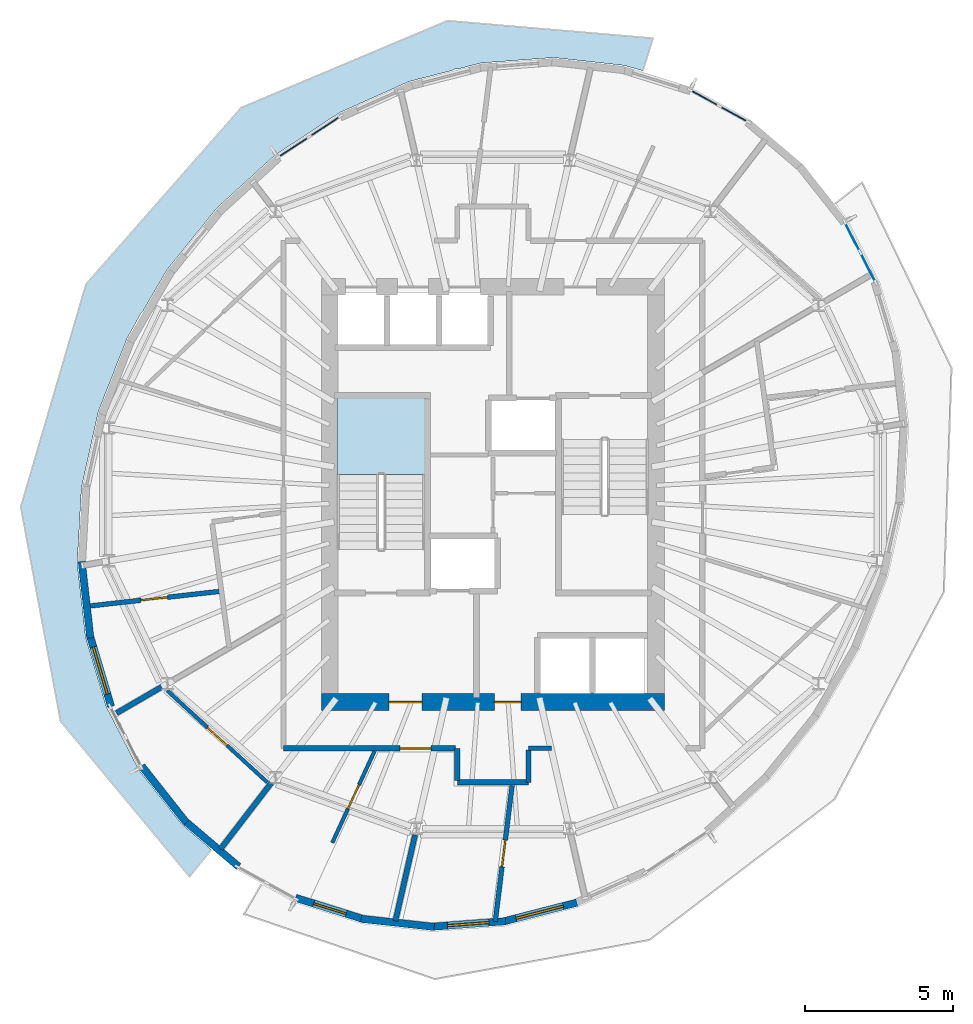
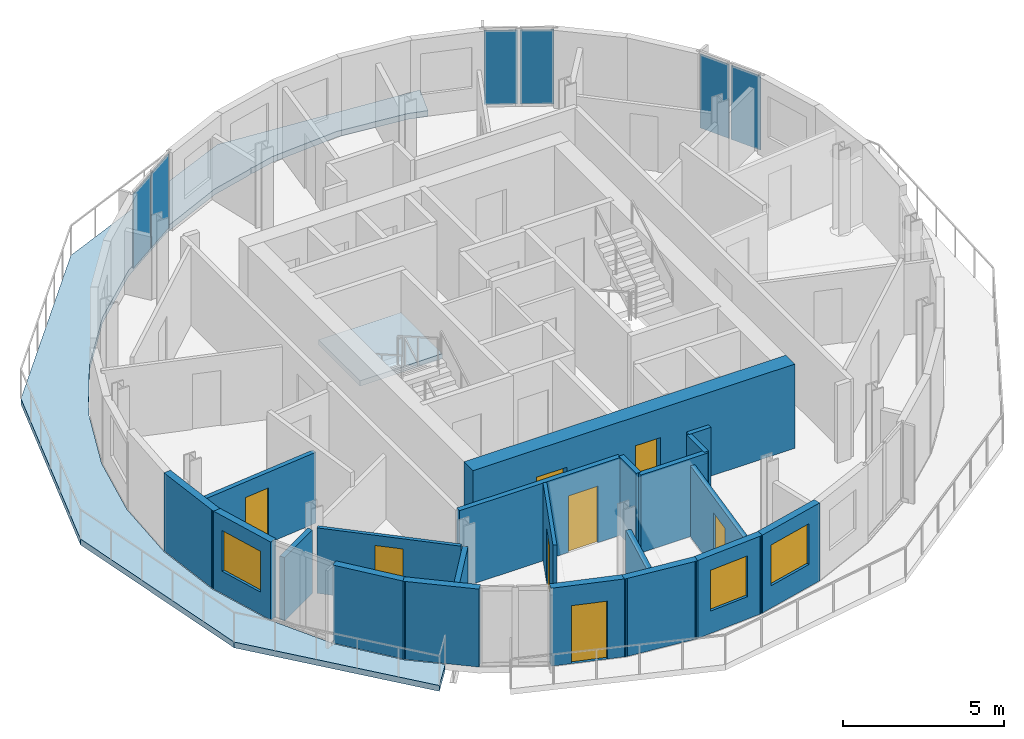
# One storey, part 4 of 11: 21 walls, 8 doors, 6 plates, 3 windows, 2 slabs, 11 openings, 4 elements without a shape of their own.
"""IFC4 building model written with IfcOpenShell, lengths in metres."""

import ifcopenshell
import ifcopenshell.guid

model = None  # the IFC model being written
_history = None  # IfcOwnerHistory: only IFC2X3 demands one
_inside = {}  # id of a spatial element -> (the spatial element, [elements in it])
_under = {}  # id of a project, library or spatial element -> (it, [spatial elements below it])
_declared = {}  # id of a project -> (the project, [libraries it declares])
_typed = {}  # id of a type object -> (the type object, [elements of that type])
_made_of = {}  # id of a material, layer set ... -> (it, [elements and type objects made of it])


def new_model(schema):
    """Start an empty IFC model of exactly this schema.

    Asked for "IFC4X3", IfcOpenShell would pick the latest addendum, in which some entities
    have other attributes; the version numbers below select the first issue.
    IFC2X3 requires an IfcOwnerHistory on every rooted entity: one is made here for all.
    """
    global model, _history
    if schema == "IFC4X3":
        model = ifcopenshell.file(schema_version=(4, 3, 0, 0))
    else:
        model = ifcopenshell.file(schema=schema)
    _inside.clear()
    _under.clear()
    _declared.clear()
    _typed.clear()
    _made_of.clear()
    _history = None
    if model.schema == "IFC2X3":
        org = make("IfcOrganization", Name="unknown")
        user = make(
            "IfcPersonAndOrganization",
            ThePerson=make("IfcPerson", FamilyName="unknown"),
            TheOrganization=org,
        )
        app = make(
            "IfcApplication",
            ApplicationDeveloper=org,
            Version="unknown",
            ApplicationFullName="unknown",
            ApplicationIdentifier="unknown",
        )
        _history = make(
            "IfcOwnerHistory",
            OwningUser=user,
            OwningApplication=app,
            ChangeAction="ADDED",
            CreationDate=0,
        )
    return model


def make(cls, **values):
    """One entity of the class cls with the attributes given. An attribute that is None is left unset."""
    return model.create_entity(
        cls, **{name: value for name, value in values.items() if value is not None}
    )


def rooted(cls, **values):
    """An entity with a GlobalId (a new one), such as an element, a storey or a relation."""
    return make(cls, GlobalId=ifcopenshell.guid.new(), OwnerHistory=_history, **values)


def si_unit(unit_type, name, prefix=None):
    """IfcSIUnit, for example si_unit("LENGTHUNIT", "METRE", prefix="MILLI")."""
    return make("IfcSIUnit", UnitType=unit_type, Prefix=prefix, Name=name)


def assignment(units):
    """IfcUnitAssignment: the units of a project."""
    return None if units is None else make("IfcUnitAssignment", Units=units)


def point(xyz):
    """IfcCartesianPoint."""
    return None if xyz is None else make("IfcCartesianPoint", Coordinates=xyz)


def direction(xyz):
    """IfcDirection."""
    return None if xyz is None else make("IfcDirection", DirectionRatios=xyz)


def frame(location, z_axis=None, x_axis=None):
    """IfcAxis2Placement3D, a coordinate frame: its origin and axes. An axis left out is left unset."""
    return make(
        "IfcAxis2Placement3D",
        Location=point(location),
        Axis=direction(z_axis),
        RefDirection=direction(x_axis),
    )


def frame_2d(location, x_axis=None):
    """IfcAxis2Placement2D, a coordinate frame in the plane: its origin and x axis."""
    return make(
        "IfcAxis2Placement2D", Location=point(location), RefDirection=direction(x_axis)
    )


def origin():
    """The frame at (0, 0, 0) with its axes left unset."""
    return frame((0.0, 0.0, 0.0))


def origin_2d():
    """The frame at (0, 0) in the plane with its x axis left unset."""
    return frame_2d((0.0, 0.0))


def place(relative_to, where):
    """IfcLocalPlacement: puts the frame where relative to a parent placement (None: the world)."""
    return make(
        "IfcLocalPlacement", PlacementRelTo=relative_to, RelativePlacement=where
    )


def context(
    kind, dimensions, precision=None, world=None, true_north=None, identifier=None
):
    """IfcGeometricRepresentationContext, for example the 3D "Model" context."""
    return make(
        "IfcGeometricRepresentationContext",
        ContextIdentifier=identifier,
        ContextType=kind,
        CoordinateSpaceDimension=dimensions,
        Precision=precision,
        WorldCoordinateSystem=world,
        TrueNorth=true_north,
    )


def subcontext(parent, identifier, kind, view, scale=None):
    """IfcGeometricRepresentationSubContext, for example "Body" below "Model"."""
    return make(
        "IfcGeometricRepresentationSubContext",
        ContextIdentifier=identifier,
        ContextType=kind,
        ParentContext=parent,
        TargetScale=scale,
        TargetView=view,
    )


def project(units=None, contexts=None):
    """IfcProject with its units and contexts."""
    return rooted(
        "IfcProject",
        Name="project",
        RepresentationContexts=contexts,
        UnitsInContext=assignment(units),
    )


def spatial(cls, under=None, at=None, **own):
    """A site, building, storey or space (cls), placed at a placement, below another one or the project."""
    s = rooted(cls, ObjectPlacement=at, **own)
    if under is not None:
        _under.setdefault(under.id(), (under, []))[1].append(s)
    return s


def polyline(points):
    """IfcPolyline through the points."""
    return make("IfcPolyline", Points=[point(p) for p in points])


def profile(cls, at=None, kind="AREA", **sizes):
    """A parametric profile (cls). Its sizes go by their IFC names, for example OverallWidth=200.0."""
    return make(cls, ProfileType=kind, Position=at, **sizes)


def rectangle(**sizes):
    """IfcRectangleProfileDef."""
    return profile("IfcRectangleProfileDef", **sizes)


def outline(outer, holes=None, kind="AREA"):
    """IfcArbitraryClosedProfileDef: a profile drawn as a closed curve; with holes, ...WithVoids."""
    if holes is None:
        return make("IfcArbitraryClosedProfileDef", ProfileType=kind, OuterCurve=outer)
    return make(
        "IfcArbitraryProfileDefWithVoids",
        ProfileType=kind,
        OuterCurve=outer,
        InnerCurves=holes,
    )


def extrude(swept, where, along, depth):
    """IfcExtrudedAreaSolid: the profile swept, set in the frame where, extruded along a direction by depth."""
    return make(
        "IfcExtrudedAreaSolid",
        SweptArea=swept,
        Position=where,
        ExtrudedDirection=direction(along),
        Depth=depth,
    )


def shape(context_of_items, identifier, shape_type, items):
    """IfcShapeRepresentation: the items that make up one representation, for example the "Body"."""
    return make(
        "IfcShapeRepresentation",
        ContextOfItems=context_of_items,
        RepresentationIdentifier=identifier,
        RepresentationType=shape_type,
        Items=items,
    )


def material(Name=None, Category=None):
    """IfcMaterial."""
    return make("IfcMaterial", Name=Name, Category=Category)


def layer(
    of_material, thickness, ventilated=None, Name=None, Category=None, Priority=None
):
    """IfcMaterialLayer: one layer of a wall or slab, of a material (None: an air gap)."""
    return make(
        "IfcMaterialLayer",
        Material=of_material,
        LayerThickness=thickness,
        IsVentilated=ventilated,
        Name=Name,
        Category=Category,
        Priority=Priority,
    )


def layer_set(layers, Name=None):
    """IfcMaterialLayerSet."""
    return make("IfcMaterialLayerSet", MaterialLayers=layers, LayerSetName=Name)


def made_of(thing, what):
    """Note that an element or type object is made of a material, layer set ...; save() writes the relation."""
    if what is not None:
        _made_of.setdefault(what.id(), (what, []))[1].append(thing)
    return thing


def type_object(cls, material=None, **own):
    """A type object (cls), such as IfcWallType, which elements share."""
    return made_of(rooted(cls, **own), material)


def element(
    cls,
    number,
    at=None,
    inside=None,
    cuts=None,
    type_object=None,
    material=None,
    context=None,
    identifier="Body",
    shape_type=None,
    held_by="IfcProductDefinitionShape",
    body=None,
    shapes=None,
    **own,
):
    """One element of the class cls, such as IfcWall. Its Tag is "e" and its number.

    at: its placement. inside: the storey or other place that contains it. cuts: it is an
    opening in that element (IfcRelVoidsElement). A single representation is given by context,
    identifier, shape_type and body (its items); several are given by shapes. held_by: the class
    of the entity that holds the representations. save() writes the other relations.
    """
    e = rooted(cls, Tag="e%d" % number, ObjectPlacement=at, **own)
    if body is not None:
        shapes = [shape(context, identifier, shape_type, body)]
    if shapes is not None:
        e.Representation = make(held_by, Representations=shapes)
    if inside is not None:
        _inside.setdefault(inside.id(), (inside, []))[1].append(e)
    if cuts is not None:
        rooted(
            "IfcRelVoidsElement", RelatingBuildingElement=cuts, RelatedOpeningElement=e
        )
    if type_object is not None:
        _typed.setdefault(type_object.id(), (type_object, []))[1].append(e)
    return made_of(e, material)


def fill(opening, filler):
    """IfcRelFillsElement: the door or window that sits in an opening."""
    return rooted(
        "IfcRelFillsElement",
        RelatingOpeningElement=opening,
        RelatedBuildingElement=filler,
    )


def aggregate(whole, parts):
    """IfcRelAggregates: a whole, such as a stair, and the parts it consists of."""
    return rooted("IfcRelAggregates", RelatingObject=whole, RelatedObjects=parts)


def save(model, path):
    """Write the relations noted so far, then the file.

    IfcRelAggregates (storeys below a building ...), IfcRelContainedInSpatialStructure (elements
    in a storey), IfcRelDefinesByType, IfcRelAssociatesMaterial and IfcRelDeclares: one each for
    every whole, place, type object, material and project.
    """
    for whole, parts in _under.values():
        aggregate(whole, parts)
    for where, things in _inside.values():
        rooted(
            "IfcRelContainedInSpatialStructure",
            RelatedElements=things,
            RelatingStructure=where,
        )
    for kind, things in _typed.values():
        rooted("IfcRelDefinesByType", RelatedObjects=things, RelatingType=kind)
    for what, things in _made_of.values():
        rooted("IfcRelAssociatesMaterial", RelatedObjects=things, RelatingMaterial=what)
    for by, libraries in _declared.values():
        rooted("IfcRelDeclares", RelatingContext=by, RelatedDefinitions=libraries)
    model.write(path)


model = new_model("IFC4")

# Units and contexts
model_context = context("Model", 3, precision=1e-05, world=origin(), true_north=direction((0.0, 1.0)))
body_context = subcontext(model_context, "Body", "Model", "MODEL_VIEW")
ifc_project = project(units=[si_unit("LENGTHUNIT", "METRE"), si_unit("AREAUNIT", "SQUARE_METRE"), si_unit("VOLUMEUNIT", "CUBIC_METRE"), si_unit("PLANEANGLEUNIT", "RADIAN"), si_unit("MASSUNIT", "GRAM", prefix="KILO")], contexts=[model_context])

# Site, building, storey
site_placement = place(None, origin())
site = spatial("IfcSite", under=ifc_project, at=site_placement, CompositionType="ELEMENT")
building_placement = place(site_placement, origin())
building = spatial("IfcBuilding", under=site, at=building_placement, Name="Veldorim Arch Residences", CompositionType="ELEMENT")
storey_placement = place(building_placement, frame((0.0, 0.0, 223.840087890625)))
storey = spatial("IfcBuildingStorey", under=building, at=storey_placement, Name="L67", CompositionType="ELEMENT", Elevation=223.840087890625)

# Slab
ifc_material_1 = material(Name="Concrete C40/50", Category="concrete")
ifc_layer_1 = layer(ifc_material_1, 0.219970703125, Name="Planted Crescent Cantilever Balcony Slab 220")
ifc_layer_set_1 = layer_set([ifc_layer_1], Name="Concrete C40/50")
slab_type_1 = type_object("IfcSlabType", Name="Planted Crescent Cantilever Balcony Slab 220", PredefinedType="FLOOR", material=ifc_layer_set_1)
slab_1_placement = place(storey_placement, frame((0.0, 0.0, -0.219970703125)))
element("IfcSlab", 1, at=slab_1_placement, inside=storey, type_object=slab_type_1, Name="L67 planted crescent balcony slab A", PredefinedType="FLOOR", context=body_context, shape_type="SweptSolid", body=[
    extrude(outline(polyline([(37.05712890625, 38.286865234375), (36.419921875, 38.464599609375), (34.0419921875, 38.729248046875), (31.602294921875, 38.54638671875), (30.82421875, 38.34619140625), (30.727783203125, 38.34716796875), (30.614501953125, 38.292236328125), (29.1748046875, 37.921630859375), (26.83349609375, 36.8740234375), (24.64892578125, 35.435302734375), (22.68798828125, 33.6494140625), (21.010009765625, 31.5703125), (20.208984375, 30.19482421875), (20.1298828125, 30.102294921875), (19.66552734375, 29.26123046875), (18.69580078125, 26.79248046875), (18.130126953125, 24.23876953125), (17.985595703125, 21.677734375), (18.26708984375, 19.18701171875), (18.9658203125, 16.84228515625), (20.060791015625, 14.715087890625), (21.5185546875, 12.86962890625), (22.417724609375, 12.107177734375), (22.493408203125, 12.00048828125), (21.770263671875, 11.106201171875), (17.420654296875, 16.344970703125), (16.07568359375, 23.577880859375), (18.278564453125, 31.09326171875), (23.505859375, 37.0419921875), (30.468994140625, 39.974365234375), (37.400146484375, 39.384521484375), (37.05712890625, 38.286865234375)])), origin(), (0.0, 0.0, 1.0), 0.219970703125),
])

# Stair, slab
ifc_material_2 = material(Name="Concrete C40/50", Category="concrete")
stair_type = type_object("IfcStairType", Name="Reinforced Concrete Dogleg Exit Staircase", PredefinedType="HALF_TURN_STAIR", material=ifc_material_2)
stair_placement = place(storey_placement, origin())
stair = element("IfcStair", 2, at=stair_placement, inside=storey, type_object=stair_type, Name="L67 Exit Staircase ST-1", PredefinedType="HALF_TURN_STAIR")
ifc_material_3 = material(Name="Concrete C40/50", Category="concrete")
ifc_layer_2 = layer(ifc_material_3, 0.199951171875, Name="Reinforced Concrete Stair Landing 200")
ifc_layer_set_2 = layer_set([ifc_layer_2], Name="Concrete C40/50")
slab_type_2 = type_object("IfcSlabType", Name="Reinforced Concrete Stair Landing 200", PredefinedType="LANDING", material=ifc_layer_set_2)
slab_2_placement = place(storey_placement, frame((0.0, 0.0, 1.39990234375)))
slab_2 = element("IfcSlab", 3, at=slab_2_placement, type_object=slab_type_2, Name="ST-1 landing 1", PredefinedType="LANDING", context=body_context, shape_type="SweptSolid", body=[
    extrude(outline(polyline([(29.7099609375, 24.669921875), (29.7099609375, 27.25), (26.75, 27.25), (26.75, 24.669921875), (29.7099609375, 24.669921875)])), origin(), (0.0, 0.0, 1.0), 0.199951171875),
])
aggregate(stair, [slab_2])

# Curtain wall, plates
ifc_material_4 = material(Name="Aluminium", Category="aluminium")
curtain_wall_type = type_object("IfcCurtainWallType", Name="Zone 4 High-Altitude Unitised Curtain Wall", PredefinedType="NOTDEFINED", material=ifc_material_4)
curtain_wall_1_placement = place(storey_placement, origin())
curtain_wall_1 = element("IfcCurtainWall", 4, at=curtain_wall_1_placement, inside=storey, type_object=curtain_wall_type, Name="L67 unitised curtain wall bay 01", PredefinedType="NOTDEFINED")
ifc_material_5 = material(Name="Laminated Low-E Glass", Category="glass")
ifc_layer_3 = layer(ifc_material_5, 0.030029296875, Name="Zone 4 High-Altitude Unitised Curtain Wall Glazing Panel 30")
ifc_layer_set_3 = layer_set([ifc_layer_3], Name="Laminated Low-E Glass")
plate_type = type_object("IfcPlateType", Name="Zone 4 High-Altitude Unitised Curtain Wall Glazing Panel 30", PredefinedType="CURTAIN_PANEL", material=ifc_layer_set_3)
plate_1_placement = place(storey_placement, frame((39.135986328125, 37.368896484375, 0.074951171875), z_axis=(0.0, 0.0, 1.0), x_axis=(0.876196835555, -0.48195342655, 0.0)))
plate_1 = element("IfcPlate", 5, at=plate_1_placement, type_object=plate_type, Name="CW-Z4 panel 1.1", PredefinedType="CURTAIN_PANEL", context=body_context, shape_type="SweptSolid", body=[
    extrude(rectangle(XDim=1.0498046875, YDim=0.030029296875, at=origin_2d()), origin(), (0.0, 0.0, 1.0), 2.81005859375),
])
plate_2_placement = place(storey_placement, frame((40.12158203125, 36.82666015625, 0.074951171875), z_axis=(0.0, 0.0, 1.0), x_axis=(0.876196835555, -0.48195342655, 0.0)))
plate_2 = element("IfcPlate", 6, at=plate_2_placement, type_object=plate_type, Name="CW-Z4 panel 2.1", PredefinedType="CURTAIN_PANEL", context=body_context, shape_type="SweptSolid", body=[
    extrude(rectangle(XDim=1.0498046875, YDim=0.030029296875, at=origin_2d()), origin(), (0.0, 0.0, 1.0), 2.81005859375),
])
aggregate(curtain_wall_1, [plate_1, plate_2])

curtain_wall_2_placement = place(storey_placement, origin())
curtain_wall_2 = element("IfcCurtainWall", 7, at=curtain_wall_2_placement, inside=storey, type_object=curtain_wall_type, Name="L67 unitised curtain wall bay 07", PredefinedType="NOTDEFINED")
plate_3_placement = place(storey_placement, frame((25.27490234375, 35.709716796875, 0.074951171875), z_axis=(0.0, 0.0, 1.0), x_axis=(0.835124104582, 0.550061569233, 0.0)))
plate_3 = element("IfcPlate", 8, at=plate_3_placement, type_object=plate_type, Name="CW-Z4 panel 1.1", PredefinedType="CURTAIN_PANEL", context=body_context, shape_type="SweptSolid", body=[
    extrude(rectangle(XDim=1.193359375, YDim=0.030029296875, at=origin_2d()), origin(), (0.0, 0.0, 1.0), 2.81005859375),
])
plate_4_placement = place(storey_placement, frame((26.333984375, 36.4072265625, 0.074951171875), z_axis=(0.0, 0.0, 1.0), x_axis=(0.835124104582, 0.550061569233, 0.0)))
plate_4 = element("IfcPlate", 9, at=plate_4_placement, type_object=plate_type, Name="CW-Z4 panel 2.1", PredefinedType="CURTAIN_PANEL", context=body_context, shape_type="SweptSolid", body=[
    extrude(rectangle(XDim=1.193359375, YDim=0.030029296875, at=origin_2d()), origin(), (0.0, 0.0, 1.0), 2.81005859375),
])
aggregate(curtain_wall_2, [plate_3, plate_4])

curtain_wall_3_placement = place(storey_placement, origin())
curtain_wall_3 = element("IfcCurtainWall", 10, at=curtain_wall_3_placement, inside=storey, type_object=curtain_wall_type, Name="L67 unitised curtain wall bay 34", PredefinedType="NOTDEFINED")
plate_5_placement = place(storey_placement, frame((44.119873046875, 32.6826171875, 0.074951171875), z_axis=(0.0, 0.0, 1.0), x_axis=(0.457652682523, -0.889131048935, 0.0)))
plate_5 = element("IfcPlate", 11, at=plate_5_placement, type_object=plate_type, Name="CW-Z4 panel 1.1", PredefinedType="CURTAIN_PANEL", context=body_context, shape_type="SweptSolid", body=[
    extrude(rectangle(XDim=1.081298828125, YDim=0.030029296875, at=origin_2d()), origin(), (0.0, 0.0, 1.0), 2.81005859375),
])
plate_6_placement = place(storey_placement, frame((44.649169921875, 31.654541015625, 0.074951171875), z_axis=(0.0, 0.0, 1.0), x_axis=(0.457652682523, -0.889131048935, 0.0)))
plate_6 = element("IfcPlate", 12, at=plate_6_placement, type_object=plate_type, Name="CW-Z4 panel 2.1", PredefinedType="CURTAIN_PANEL", context=body_context, shape_type="SweptSolid", body=[
    extrude(rectangle(XDim=1.081298828125, YDim=0.030029296875, at=origin_2d()), origin(), (0.0, 0.0, 1.0), 2.81005859375),
])
aggregate(curtain_wall_3, [plate_5, plate_6])

# Wall, opening, door
ifc_material_6 = material(Name="Acoustic Gypsum Board", Category="gypsum")
ifc_layer_4 = layer(ifc_material_6, 0.125, Name="Acoustic Stud Room Partition Wall 125")
ifc_layer_set_4 = layer_set([ifc_layer_4], Name="Acoustic Gypsum Board")
wall_type_1 = type_object("IfcWallType", Name="Acoustic Stud Room Partition Wall 125", PredefinedType="PARTITIONING", material=ifc_layer_set_4)
wall_1_placement = place(storey_placement, frame((26.582763671875, 12.25341796875, 0.0), z_axis=(0.0, 0.0, 1.0), x_axis=(0.41880384085, 0.908076727424, 0.0)))
wall_1 = element("IfcWall", 13, at=wall_1_placement, inside=storey, type_object=wall_type_1, Name="L67 interior wall WL-RES-L67-017", PredefinedType="PARTITIONING", context=body_context, shape_type="SweptSolid", body=[
    extrude(rectangle(XDim=3.4091796875, YDim=0.125, at=frame_2d((1.70458984375, 0.0))), origin(), (0.0, 0.0, 1.0), 2.954833984375),
])
opening_1_placement = place(wall_1_placement, frame((1.254638671875, 0.0, 0.0)))
opening_1 = element("IfcOpeningElement", 14, at=opening_1_placement, cuts=wall_1, Name="Opening DR-INT", PredefinedType="OPENING", context=body_context, shape_type="SweptSolid", body=[
    extrude(rectangle(XDim=0.89990234375, YDim=2.10009765625, at=frame_2d((0.449951171875, 1.050048828125))), frame((0.0, 0.072509765625, 0.0), z_axis=(0.0, -1.0, 0.0), x_axis=(1.0, 0.0, 0.0)), (0.0, 0.0, 1.0), 0.14501953125),
])
ifc_material_7 = material(Name="Engineered Timber", Category="wood")
door_type_1 = type_object("IfcDoorType", Name="Apartment Internal Room Timber Door 900x2100", OperationType="SINGLE_SWING_LEFT", PredefinedType="DOOR", material=ifc_material_7)
door_1_placement = place(opening_1_placement, origin())
door_1 = element("IfcDoor", 15, at=door_1_placement, inside=storey, type_object=door_type_1, Name="L67 interior door DR-RES-L67-003", OperationType="SINGLE_SWING_LEFT", OverallHeight=2.10009765625, OverallWidth=0.89990234375, PredefinedType="DOOR", context=body_context, shape_type="SweptSolid", body=[
    extrude(rectangle(XDim=0.89990234375, YDim=2.10009765625, at=frame_2d((0.449951171875, 1.050048828125))), frame((0.0, 0.02490234375, 0.0), z_axis=(0.0, -1.0, 0.0), x_axis=(1.0, 0.0, 0.0)), (0.0, 0.0, 1.0), 0.050048828125),
])
fill(opening_1, door_1)

wall_2_placement = place(storey_placement, frame((24.393310546875, 14.2880859375, 0.0), z_axis=(0.0, 0.0, 1.0), x_axis=(-0.736828890574, 0.676079274949, 0.0)))
wall_2 = element("IfcWall", 16, at=wall_2_placement, inside=storey, type_object=wall_type_1, Name="L67 interior wall WL-RES-L67-018", PredefinedType="PARTITIONING", context=body_context, shape_type="SweptSolid", body=[
    extrude(rectangle(XDim=4.58154296875, YDim=0.125, at=frame_2d((2.290771484375, 0.0))), origin(), (0.0, 0.0, 1.0), 2.48779296875),
])
opening_2_placement = place(wall_2_placement, frame((1.8408203125, 0.0, 0.0)))
opening_2 = element("IfcOpeningElement", 17, at=opening_2_placement, cuts=wall_2, Name="Opening DR-INT", PredefinedType="OPENING", context=body_context, shape_type="SweptSolid", body=[
    extrude(rectangle(XDim=0.89990234375, YDim=2.10009765625, at=frame_2d((0.449951171875, 1.050048828125))), frame((0.0, 0.072509765625, 0.0), z_axis=(0.0, -1.0, 0.0), x_axis=(1.0, 0.0, 0.0)), (0.0, 0.0, 1.0), 0.14501953125),
])
door_2_placement = place(opening_2_placement, origin())
door_2 = element("IfcDoor", 18, at=door_2_placement, inside=storey, type_object=door_type_1, Name="L67 interior door DR-RES-L67-004", OperationType="SINGLE_SWING_RIGHT", OverallHeight=2.10009765625, OverallWidth=0.89990234375, PredefinedType="DOOR", context=body_context, shape_type="SweptSolid", body=[
    extrude(rectangle(XDim=0.89990234375, YDim=2.10009765625, at=frame_2d((0.449951171875, 1.050048828125))), frame((0.0, 0.02490234375, 0.0), z_axis=(0.0, -1.0, 0.0), x_axis=(1.0, 0.0, 0.0)), (0.0, 0.0, 1.0), 0.050048828125),
])
fill(opening_2, door_2)

# Walls
ifc_material_8 = material(Name="Lightweight Masonry Block & Gypsum", Category="masonry")
ifc_layer_5 = layer(ifc_material_8, 0.179931640625, Name="Compartment & Corridor Fire-Rated Party Wall 180")
ifc_layer_set_5 = layer_set([ifc_layer_5], Name="Lightweight Masonry Block & Gypsum")
wall_type_2 = type_object("IfcWallType", Name="Compartment & Corridor Fire-Rated Party Wall 180", PredefinedType="PARTITIONING", material=ifc_layer_set_5)
wall_3_placement = place(storey_placement, frame((20.826171875, 17.5068359375, 0.0), z_axis=(0.0, 0.0, 1.0), x_axis=(-0.864599922959, -0.502460917106, 0.0)))
element("IfcWall", 19, at=wall_3_placement, inside=storey, type_object=wall_type_2, Name="L67 interior wall WL-PIER-L67-10", PredefinedType="PARTITIONING", context=body_context, shape_type="SweptSolid", body=[
    extrude(rectangle(XDim=1.755615234375, YDim=0.179931640625, at=frame_2d((0.8779296875, 0.0))), origin(), (0.0, 0.0, 1.0), 2.4033203125),
])
wall_4_placement = place(storey_placement, frame((24.526611328125, 14.272705078125, 0.0), z_axis=(0.0, 0.0, 1.0), x_axis=(-0.609232660573, -0.792991529142, 0.0)))
element("IfcWall", 20, at=wall_4_placement, inside=storey, type_object=wall_type_2, Name="L67 interior wall WL-PIER-L67-11", PredefinedType="PARTITIONING", context=body_context, shape_type="SweptSolid", body=[
    extrude(rectangle(XDim=2.81396484375, YDim=0.179931640625, at=frame_2d((1.406982421875, 0.0))), origin(), (0.0, 0.0, 1.0), 2.4033203125),
])
wall_5_placement = place(storey_placement, frame((29.37353515625, 12.516845703125, 0.0), z_axis=(0.0, 0.0, 1.0), x_axis=(-0.22291168124, -0.974838644272, 0.0)))
element("IfcWall", 21, at=wall_5_placement, inside=storey, type_object=wall_type_2, Name="L67 interior wall WL-PIER-L67-12", PredefinedType="PARTITIONING", context=body_context, shape_type="SweptSolid", body=[
    extrude(rectangle(XDim=2.975830078125, YDim=0.179931640625, at=frame_2d((1.48779296875, 0.0))), origin(), (0.0, 0.0, 1.0), 2.4033203125),
])
wall_6_placement = place(storey_placement, frame((33.199951171875, 14.2900390625, 0.0), z_axis=(0.0, 0.0, 1.0), x_axis=(-1.0, 0.0, 0.0)))
element("IfcWall", 22, at=wall_6_placement, inside=storey, type_object=wall_type_2, Name="L67 interior wall WL-RES-L67-001", PredefinedType="PARTITIONING", context=body_context, shape_type="SweptSolid", body=[
    extrude(rectangle(XDim=2.39990234375, YDim=0.179931640625, at=frame_2d((1.199951171875, 0.0))), origin(), (0.0, 0.0, 1.0), 2.954833984375),
])
wall_7_placement = place(storey_placement, frame((30.800048828125, 14.35009765625, 0.0), z_axis=(0.0, 0.0, 1.0), x_axis=(0.0, 1.0, 0.0)))
element("IfcWall", 23, at=wall_7_placement, inside=storey, type_object=wall_type_2, Name="L67 interior wall WL-RES-L67-002", PredefinedType="PARTITIONING", context=body_context, shape_type="SweptSolid", body=[
    extrude(rectangle(XDim=1.08984375, YDim=0.179931640625, at=frame_2d((0.544921875, 0.0))), origin(), (0.0, 0.0, 1.0), 2.954833984375),
])

# Wall, opening, door
wall_8_placement = place(storey_placement, frame((30.739990234375, 15.43994140625, 0.0), z_axis=(0.0, 0.0, 1.0), x_axis=(-1.0, 0.0, 0.0)))
wall_8 = element("IfcWall", 24, at=wall_8_placement, inside=storey, type_object=wall_type_2, Name="L67 interior wall WL-RES-L67-003", PredefinedType="PARTITIONING", context=body_context, shape_type="SweptSolid", body=[
    extrude(rectangle(XDim=5.800048828125, YDim=0.179931640625, at=frame_2d((2.89990234375, 0.0))), origin(), (0.0, 0.0, 1.0), 2.954833984375),
])
opening_3_placement = place(wall_8_placement, frame((0.829833984375, 0.0, 0.0)))
opening_3 = element("IfcOpeningElement", 25, at=opening_3_placement, cuts=wall_8, Name="Opening DR-FLT", PredefinedType="OPENING", context=body_context, shape_type="SweptSolid", body=[
    extrude(rectangle(XDim=1.050048828125, YDim=2.14990234375, at=frame_2d((0.52490234375, 1.074951171875))), frame((0.0, 0.099853515625, 0.0), z_axis=(0.0, -1.0, 0.0), x_axis=(1.0, 0.0, 0.0)), (0.0, 0.0, 1.0), 0.199951171875),
])
ifc_material_9 = material(Name="Fire-Rated Timber", Category="wood")
door_type_2 = type_object("IfcDoorType", Name="Apartment Entrance Solid-Core Fire Door 1050x2150", OperationType="SINGLE_SWING_LEFT", PredefinedType="DOOR", material=ifc_material_9)
door_3_placement = place(opening_3_placement, origin())
door_3 = element("IfcDoor", 26, at=door_3_placement, inside=storey, type_object=door_type_2, Name="L67 interior door DR-RES-L67-001", OperationType="SINGLE_SWING_LEFT", OverallHeight=2.14990234375, OverallWidth=1.050048828125, PredefinedType="DOOR", context=body_context, shape_type="SweptSolid", body=[
    extrude(rectangle(XDim=1.050048828125, YDim=2.14990234375, at=frame_2d((0.52490234375, 1.074951171875))), frame((0.0, 0.02490234375, 0.0), z_axis=(0.0, -1.0, 0.0), x_axis=(1.0, 0.0, 0.0)), (0.0, 0.0, 1.0), 0.050048828125),
])
fill(opening_3, door_3)

# Wall
ifc_material_10 = material(Name="Precast concrete C40/50", Category="concrete")
ifc_layer_6 = layer(ifc_material_10, 0.25, Name="Tower Terracotta Spandrel & Pier Wall 250")
ifc_layer_set_6 = layer_set([ifc_layer_6], Name="Precast concrete C40/50")
wall_type_3 = type_object("IfcWallType", Name="Tower Terracotta Spandrel & Pier Wall 250", PredefinedType="SOLIDWALL", material=ifc_layer_set_6)
wall_9_placement = place(storey_placement, frame((18.4208984375, 19.161376953125, 0.0), z_axis=(0.0, 0.0, 1.0), x_axis=(-0.112260931198, 0.993678762642, 0.0)))
element("IfcWall", 27, at=wall_9_placement, inside=storey, type_object=wall_type_3, Name="L67 terracotta facade wall 14", PredefinedType="SOLIDWALL", context=body_context, shape_type="SweptSolid", body=[
    extrude(rectangle(XDim=2.59228515625, YDim=0.25, at=frame_2d((1.296142578125, 0.0))), origin(), (0.0, 0.0, 1.0), 2.9599609375),
])

# Wall, opening, window
wall_10_placement = place(storey_placement, frame((19.12158203125, 16.844482421875, 0.0), z_axis=(0.0, 0.0, 1.0), x_axis=(-0.285604720301, 0.958347506775, 0.0)))
wall_10 = element("IfcWall", 28, at=wall_10_placement, inside=storey, type_object=wall_type_3, Name="L67 terracotta facade wall 15", PredefinedType="SOLIDWALL", context=body_context, shape_type="SweptSolid", body=[
    extrude(rectangle(XDim=2.531982421875, YDim=0.25, at=frame_2d((1.26611328125, 0.0))), origin(), (0.0, 0.0, 1.0), 2.9599609375),
])
opening_4_placement = place(wall_10_placement, frame((0.44091796875, 0.0, 0.85009765625)))
opening_4 = element("IfcOpeningElement", 29, at=opening_4_placement, cuts=wall_10, Name="Opening WN-03", PredefinedType="OPENING", context=body_context, shape_type="SweptSolid", body=[
    extrude(rectangle(XDim=1.64990234375, YDim=1.550048828125, at=frame_2d((0.824951171875, 0.77490234375))), frame((0.0, 0.135009765625, 0.0), z_axis=(0.0, -1.0, 0.0), x_axis=(1.0, 0.0, 0.0)), (0.0, 0.0, 1.0), 0.27001953125),
])
ifc_material_11 = material(Name="Laminated Low-E Glass", Category="glass")
window_type_1 = type_object("IfcWindowType", Name="Residential Wide Window 1650x1550", PartitioningType="SINGLE_PANEL", PredefinedType="WINDOW", material=ifc_material_11)
window_1_placement = place(opening_4_placement, origin())
window_1 = element("IfcWindow", 30, at=window_1_placement, inside=storey, type_object=window_type_1, Name="L67 solar-control facade window 15", OverallHeight=1.550048828125, OverallWidth=1.64990234375, PartitioningType="SINGLE_PANEL", PredefinedType="WINDOW", context=body_context, shape_type="SweptSolid", body=[
    extrude(rectangle(XDim=1.64990234375, YDim=1.550048828125, at=frame_2d((0.824951171875, 0.77490234375))), frame((0.0, 0.030029296875, 0.0), z_axis=(0.0, -1.0, 0.0), x_axis=(1.0, 0.0, 0.0)), (0.0, 0.0, 1.0), 0.06005859375),
])
fill(opening_4, window_1)

# Walls
wall_11_placement = place(storey_placement, frame((21.66259765625, 12.929443359375, 0.0), z_axis=(0.0, 0.0, 1.0), x_axis=(-0.619881401672, 0.784695512833, 0.0)))
element("IfcWall", 31, at=wall_11_placement, inside=storey, type_object=wall_type_3, Name="L67 terracotta facade wall 17", PredefinedType="SOLIDWALL", context=body_context, shape_type="SweptSolid", body=[
    extrude(rectangle(XDim=2.436767578125, YDim=0.25, at=frame_2d((1.21826171875, 0.0))), origin(), (0.0, 0.0, 1.0), 2.9599609375),
])
wall_12_placement = place(storey_placement, frame((23.424560546875, 11.44970703125, 0.0), z_axis=(0.0, 0.0, 1.0), x_axis=(-0.762614923672, 0.646852748462, 0.0)))
element("IfcWall", 32, at=wall_12_placement, inside=storey, type_object=wall_type_3, Name="L67 terracotta facade wall 18", PredefinedType="SOLIDWALL", context=body_context, shape_type="SweptSolid", body=[
    extrude(rectangle(XDim=2.414794921875, YDim=0.25, at=frame_2d((1.20751953125, 0.0))), origin(), (0.0, 0.0, 1.0), 2.9599609375),
])

# Wall, opening, door
wall_13_placement = place(storey_placement, frame((27.665771484375, 9.665771484375, 0.0), z_axis=(0.0, 0.0, 1.0), x_axis=(-0.95407801166, 0.299558254212, 0.0)))
wall_13 = element("IfcWall", 33, at=wall_13_placement, inside=storey, type_object=wall_type_3, Name="L67 terracotta facade wall 20", PredefinedType="SOLIDWALL", context=body_context, shape_type="SweptSolid", body=[
    extrude(rectangle(XDim=2.436767578125, YDim=0.25, at=frame_2d((1.21826171875, 0.0))), origin(), (0.0, 0.0, 1.0), 2.9599609375),
])
opening_5_placement = place(wall_13_placement, frame((0.64306640625, 0.0, 0.0)))
opening_5 = element("IfcOpeningElement", 34, at=opening_5_placement, cuts=wall_13, Name="Opening BL-DR", PredefinedType="OPENING", context=body_context, shape_type="SweptSolid", body=[
    extrude(rectangle(XDim=1.14990234375, YDim=2.199951171875, at=frame_2d((0.574951171875, 1.10009765625))), frame((0.0, 0.135009765625, 0.0), z_axis=(0.0, -1.0, 0.0), x_axis=(1.0, 0.0, 0.0)), (0.0, 0.0, 1.0), 0.27001953125),
])
ifc_material_12 = material(Name="Aluminium & Low-E Glass", Category="aluminium")
door_type_3 = type_object("IfcDoorType", Name="Glazed Planted Balcony Door 1150x2200", OperationType="SINGLE_SWING_LEFT", PredefinedType="DOOR", material=ifc_material_12)
door_4_placement = place(opening_5_placement, origin())
door_4 = element("IfcDoor", 35, at=door_4_placement, inside=storey, type_object=door_type_3, Name="L67 glazed outdoor terrace door BALC-2", OperationType="SINGLE_SWING_RIGHT", OverallHeight=2.199951171875, OverallWidth=1.14990234375, PredefinedType="DOOR", context=body_context, shape_type="SweptSolid", body=[
    extrude(rectangle(XDim=1.14990234375, YDim=2.199951171875, at=frame_2d((0.574951171875, 1.10009765625))), frame((0.0, 0.02490234375, 0.0), z_axis=(0.0, -1.0, 0.0), x_axis=(1.0, 0.0, 0.0)), (0.0, 0.0, 1.0), 0.050048828125),
])
fill(opening_5, door_4)

# Wall
wall_14_placement = place(storey_placement, frame((30.01708984375, 9.4150390625, 0.0), z_axis=(0.0, 0.0, 1.0), x_axis=(-0.993859679734, 0.110647806121, 0.0)))
element("IfcWall", 36, at=wall_14_placement, inside=storey, type_object=wall_type_3, Name="L67 terracotta facade wall 21", PredefinedType="SOLIDWALL", context=body_context, shape_type="SweptSolid", body=[
    extrude(rectangle(XDim=2.477783203125, YDim=0.25, at=frame_2d((1.23876953125, 0.0))), origin(), (0.0, 0.0, 1.0), 2.9599609375),
])

# Wall, opening, window
wall_15_placement = place(storey_placement, frame((32.42919921875, 9.606201171875, 0.0), z_axis=(0.0, 0.0, 1.0), x_axis=(-0.997203982256, -0.074727623888, 0.0)))
wall_15 = element("IfcWall", 37, at=wall_15_placement, inside=storey, type_object=wall_type_3, Name="L67 terracotta facade wall 22", PredefinedType="SOLIDWALL", context=body_context, shape_type="SweptSolid", body=[
    extrude(rectangle(XDim=2.531982421875, YDim=0.25, at=frame_2d((1.26611328125, 0.0))), origin(), (0.0, 0.0, 1.0), 2.9599609375),
])
opening_6_placement = place(wall_15_placement, frame((0.56591796875, 0.0, 0.85009765625)))
opening_6 = element("IfcOpeningElement", 38, at=opening_6_placement, cuts=wall_15, Name="Opening WN-02", PredefinedType="OPENING", context=body_context, shape_type="SweptSolid", body=[
    extrude(rectangle(XDim=1.39990234375, YDim=1.550048828125, at=frame_2d((0.699951171875, 0.77490234375))), frame((0.0, 0.135009765625, 0.0), z_axis=(0.0, -1.0, 0.0), x_axis=(1.0, 0.0, 0.0)), (0.0, 0.0, 1.0), 0.27001953125),
])
ifc_material_13 = material(Name="Laminated Low-E Glass", Category="glass")
window_type_2 = type_object("IfcWindowType", Name="Residential Casement Window 1400x1550", PartitioningType="SINGLE_PANEL", PredefinedType="WINDOW", material=ifc_material_13)
window_2_placement = place(opening_6_placement, origin())
window_2 = element("IfcWindow", 39, at=window_2_placement, inside=storey, type_object=window_type_2, Name="L67 solar-control facade window 22", OverallHeight=1.550048828125, OverallWidth=1.39990234375, PartitioningType="SINGLE_PANEL", PredefinedType="WINDOW", context=body_context, shape_type="SweptSolid", body=[
    extrude(rectangle(XDim=1.39990234375, YDim=1.550048828125, at=frame_2d((0.699951171875, 0.77490234375))), frame((0.0, 0.030029296875, 0.0), z_axis=(0.0, -1.0, 0.0), x_axis=(1.0, 0.0, 0.0)), (0.0, 0.0, 1.0), 0.06005859375),
])
fill(opening_6, window_2)

wall_16_placement = place(storey_placement, frame((34.829345703125, 10.234375, 0.0), z_axis=(0.0, 0.0, 1.0), x_axis=(-0.968423445169, -0.249311112562, 0.0)))
wall_16 = element("IfcWall", 40, at=wall_16_placement, inside=storey, type_object=wall_type_3, Name="L67 terracotta facade wall 23", PredefinedType="SOLIDWALL", context=body_context, shape_type="SweptSolid", body=[
    extrude(rectangle(XDim=2.592041015625, YDim=0.25, at=frame_2d((1.2958984375, 0.0))), origin(), (0.0, 0.0, 1.0), 2.9599609375),
])
opening_7_placement = place(wall_16_placement, frame((0.470947265625, 0.0, 0.85009765625)))
opening_7 = element("IfcOpeningElement", 41, at=opening_7_placement, cuts=wall_16, Name="Opening WN-03", PredefinedType="OPENING", context=body_context, shape_type="SweptSolid", body=[
    extrude(rectangle(XDim=1.64990234375, YDim=1.550048828125, at=frame_2d((0.824951171875, 0.77490234375))), frame((0.0, 0.135009765625, 0.0), z_axis=(0.0, -1.0, 0.0), x_axis=(1.0, 0.0, 0.0)), (0.0, 0.0, 1.0), 0.27001953125),
])
window_3_placement = place(opening_7_placement, origin())
window_3 = element("IfcWindow", 42, at=window_3_placement, inside=storey, type_object=window_type_1, Name="L67 solar-control facade window 23", OverallHeight=1.550048828125, OverallWidth=1.64990234375, PartitioningType="SINGLE_PANEL", PredefinedType="WINDOW", context=body_context, shape_type="SweptSolid", body=[
    extrude(rectangle(XDim=1.64990234375, YDim=1.550048828125, at=frame_2d((0.824951171875, 0.77490234375))), frame((0.0, 0.030029296875, 0.0), z_axis=(0.0, -1.0, 0.0), x_axis=(1.0, 0.0, 0.0)), (0.0, 0.0, 1.0), 0.06005859375),
])
fill(opening_7, window_3)

# Wall, openings, doors
ifc_material_14 = material(Name="Concrete C50/60", Category="concrete")
ifc_layer_7 = layer(ifc_material_14, 0.5, Name="Upper Central Core Shear Wall 560")
ifc_layer_set_7 = layer_set([ifc_layer_7], Name="Concrete C50/60")
wall_type_4 = type_object("IfcWallType", Name="Upper Central Core Shear Wall 560", PredefinedType="SHEAR", material=ifc_layer_set_7)
wall_17_placement = place(storey_placement, frame((26.219970703125, 17.0, 0.0), z_axis=(0.0, 0.0, 1.0), x_axis=(1.0, 0.0, 0.0)))
wall_17 = element("IfcWall", 43, at=wall_17_placement, inside=storey, type_object=wall_type_4, Name="L67 central core south shear wall", PredefinedType="SHEAR", context=body_context, shape_type="SweptSolid", body=[
    extrude(rectangle(XDim=11.56005859375, YDim=0.56005859375, at=frame_2d((5.780029296875, 0.0))), origin(), (0.0, 0.0, 1.0), 3.199951171875),
])
opening_8_placement = place(wall_17_placement, frame((2.280029296875, 0.0, 0.0)))
opening_8 = element("IfcOpeningElement", 44, at=opening_8_placement, cuts=wall_17, Name="Opening DR-FFL", PredefinedType="OPENING", context=body_context, shape_type="SweptSolid", body=[
    extrude(rectangle(XDim=1.10009765625, YDim=2.14990234375, at=frame_2d((0.550048828125, 1.074951171875))), frame((0.0, 0.2900390625, 0.0), z_axis=(0.0, -1.0, 0.0), x_axis=(1.0, 0.0, 0.0)), (0.0, 0.0, 1.0), 0.580078125),
])
opening_9_placement = place(wall_17_placement, frame((5.830078125, 0.0, 0.0)))
opening_9 = element("IfcOpeningElement", 45, at=opening_9_placement, cuts=wall_17, Name="Opening DR-SVC", PredefinedType="OPENING", context=body_context, shape_type="SweptSolid", body=[
    extrude(rectangle(XDim=0.89990234375, YDim=2.10009765625, at=frame_2d((0.449951171875, 1.050048828125))), frame((0.0, 0.2900390625, 0.0), z_axis=(0.0, -1.0, 0.0), x_axis=(1.0, 0.0, 0.0)), (0.0, 0.0, 1.0), 0.580078125),
])
ifc_material_15 = material(Name="Fire-Rated Steel & Vision Glass", Category="steel")
door_type_4 = type_object("IfcDoorType", Name="Firefighting Lobby Smoke-Stop Fire Door 1100x2150", OperationType="SINGLE_SWING_LEFT", PredefinedType="DOOR", material=ifc_material_15)
door_5_placement = place(opening_8_placement, origin())
door_5 = element("IfcDoor", 46, at=door_5_placement, inside=storey, type_object=door_type_4, Name="L67 interior door DR-L67-FFL1", OperationType="SINGLE_SWING_RIGHT", OverallHeight=2.14990234375, OverallWidth=1.10009765625, PredefinedType="DOOR", context=body_context, shape_type="SweptSolid", body=[
    extrude(rectangle(XDim=1.10009765625, YDim=2.14990234375, at=frame_2d((0.550048828125, 1.074951171875))), frame((0.0, 0.02490234375, 0.0), z_axis=(0.0, -1.0, 0.0), x_axis=(1.0, 0.0, 0.0)), (0.0, 0.0, 1.0), 0.050048828125),
])
fill(opening_8, door_5)
ifc_material_16 = material(Name="Fire-Rated Steel", Category="steel")
door_type_5 = type_object("IfcDoorType", Name="Riser, Shelter & Plant Room Rated Steel Door 900x2100", OperationType="SINGLE_SWING_LEFT", PredefinedType="DOOR", material=ifc_material_16)
door_6_placement = place(opening_9_placement, origin())
door_6 = element("IfcDoor", 47, at=door_6_placement, inside=storey, type_object=door_type_5, Name="L67 interior door DR-L67-COR-ANC", OperationType="SINGLE_SWING_LEFT", OverallHeight=2.10009765625, OverallWidth=0.89990234375, PredefinedType="DOOR", context=body_context, shape_type="SweptSolid", body=[
    extrude(rectangle(XDim=0.89990234375, YDim=2.10009765625, at=frame_2d((0.449951171875, 1.050048828125))), frame((0.0, 0.02490234375, 0.0), z_axis=(0.0, -1.0, 0.0), x_axis=(1.0, 0.0, 0.0)), (0.0, 0.0, 1.0), 0.050048828125),
])
fill(opening_9, door_6)

# Walls
ifc_material_17 = material(Name="Moisture-Resistant Gypsum & Stud", Category="gypsum")
ifc_layer_8 = layer(ifc_material_17, 0.159912109375, Name="Wet-Area Moisture-Resistant Plumbing Wall 160")
ifc_layer_set_8 = layer_set([ifc_layer_8], Name="Moisture-Resistant Gypsum & Stud")
wall_type_5 = type_object("IfcWallType", Name="Wet-Area Moisture-Resistant Plumbing Wall 160", PredefinedType="PLUMBINGWALL", material=ifc_layer_set_8)
wall_18_placement = place(storey_placement, frame((33.978271484375, 15.43994140625, 0.0), z_axis=(0.0, 0.0, 1.0), x_axis=(-1.0, 0.0, 0.0)))
element("IfcWall", 48, at=wall_18_placement, inside=storey, type_object=wall_type_5, Name="L67 interior wall WL-RES-L67-004", PredefinedType="PLUMBINGWALL", context=body_context, shape_type="SweptSolid", body=[
    extrude(rectangle(XDim=0.7783203125, YDim=0.159912109375, at=frame_2d((0.38916015625, 0.0))), origin(), (0.0, 0.0, 1.0), 2.954833984375),
])
wall_19_placement = place(storey_placement, frame((33.199951171875, 15.3798828125, 0.0), z_axis=(0.0, 0.0, 1.0), x_axis=(0.0, -1.0, 0.0)))
element("IfcWall", 49, at=wall_19_placement, inside=storey, type_object=wall_type_5, Name="L67 interior wall WL-RES-L67-005", PredefinedType="PLUMBINGWALL", context=body_context, shape_type="SweptSolid", body=[
    extrude(rectangle(XDim=1.08984375, YDim=0.159912109375, at=frame_2d((0.544921875, 0.0))), origin(), (0.0, 0.0, 1.0), 2.954833984375),
])

# Wall, opening, door
wall_20_placement = place(storey_placement, frame((32.647216796875, 14.19091796875, 0.0), z_axis=(0.0, 0.0, 1.0), x_axis=(-0.123041966912, -0.992401468348, 0.0)))
wall_20 = element("IfcWall", 50, at=wall_20_placement, inside=storey, type_object=wall_type_5, Name="L67 interior wall WL-RES-L67-016", PredefinedType="PLUMBINGWALL", context=body_context, shape_type="SweptSolid", body=[
    extrude(rectangle(XDim=4.631103515625, YDim=0.159912109375, at=frame_2d((2.3154296875, 0.0))), origin(), (0.0, 0.0, 1.0), 2.69189453125),
])
opening_10_placement = place(wall_20_placement, frame((1.865478515625, 0.0, 0.0)))
opening_10 = element("IfcOpeningElement", 51, at=opening_10_placement, cuts=wall_20, Name="Opening DR-WC", PredefinedType="OPENING", context=body_context, shape_type="SweptSolid", body=[
    extrude(rectangle(XDim=0.89990234375, YDim=2.10009765625, at=frame_2d((0.449951171875, 1.050048828125))), frame((0.0, 0.08984375, 0.0), z_axis=(0.0, -1.0, 0.0), x_axis=(1.0, 0.0, 0.0)), (0.0, 0.0, 1.0), 0.179931640625),
])
ifc_material_18 = material(Name="Laminate Timber", Category="wood")
door_type_6 = type_object("IfcDoorType", Name="Bathroom & Accessible WC Moisture-Sealed Door 900x2100", OperationType="SINGLE_SWING_LEFT", PredefinedType="DOOR", material=ifc_material_18)
door_7_placement = place(opening_10_placement, origin())
door_7 = element("IfcDoor", 52, at=door_7_placement, inside=storey, type_object=door_type_6, Name="L67 interior door DR-RES-L67-002", OperationType="SINGLE_SWING_RIGHT", OverallHeight=2.10009765625, OverallWidth=0.89990234375, PredefinedType="DOOR", context=body_context, shape_type="SweptSolid", body=[
    extrude(rectangle(XDim=0.89990234375, YDim=2.10009765625, at=frame_2d((0.449951171875, 1.050048828125))), frame((0.0, 0.02490234375, 0.0), z_axis=(0.0, -1.0, 0.0), x_axis=(1.0, 0.0, 0.0)), (0.0, 0.0, 1.0), 0.050048828125),
])
fill(opening_10, door_7)

wall_21_placement = place(storey_placement, frame((22.84375, 20.737548828125, 0.0), z_axis=(0.0, 0.0, 1.0), x_axis=(-0.993735184374, -0.111760383578, 0.0)))
wall_21 = element("IfcWall", 53, at=wall_21_placement, inside=storey, type_object=wall_type_5, Name="L67 interior wall WL-RES-L67-029", PredefinedType="PLUMBINGWALL", context=body_context, shape_type="SweptSolid", body=[
    extrude(rectangle(XDim=4.556884765625, YDim=0.159912109375, at=frame_2d((2.2783203125, 0.0))), origin(), (0.0, 0.0, 1.0), 2.69189453125),
])
opening_11_placement = place(wall_21_placement, frame((1.82861328125, 0.0, 0.0)))
opening_11 = element("IfcOpeningElement", 54, at=opening_11_placement, cuts=wall_21, Name="Opening DR-WC", PredefinedType="OPENING", context=body_context, shape_type="SweptSolid", body=[
    extrude(rectangle(XDim=0.89990234375, YDim=2.10009765625, at=frame_2d((0.449951171875, 1.050048828125))), frame((0.0, 0.08984375, 0.0), z_axis=(0.0, -1.0, 0.0), x_axis=(1.0, 0.0, 0.0)), (0.0, 0.0, 1.0), 0.179931640625),
])
door_8_placement = place(opening_11_placement, origin())
door_8 = element("IfcDoor", 55, at=door_8_placement, inside=storey, type_object=door_type_6, Name="L67 interior door DR-RES-L67-015", OperationType="SINGLE_SWING_LEFT", OverallHeight=2.10009765625, OverallWidth=0.89990234375, PredefinedType="DOOR", context=body_context, shape_type="SweptSolid", body=[
    extrude(rectangle(XDim=0.89990234375, YDim=2.10009765625, at=frame_2d((0.449951171875, 1.050048828125))), frame((0.0, 0.02490234375, 0.0), z_axis=(0.0, -1.0, 0.0), x_axis=(1.0, 0.0, 0.0)), (0.0, 0.0, 1.0), 0.050048828125),
])
fill(opening_11, door_8)

save(model, "model.ifc")
